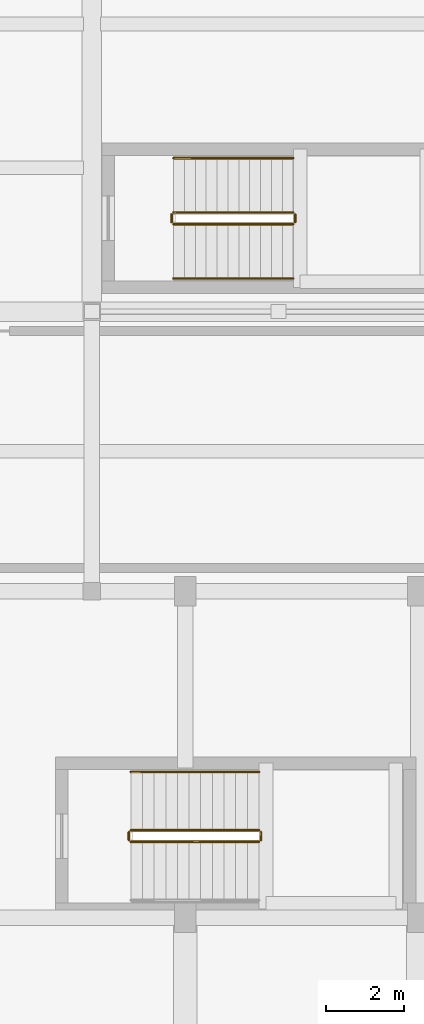
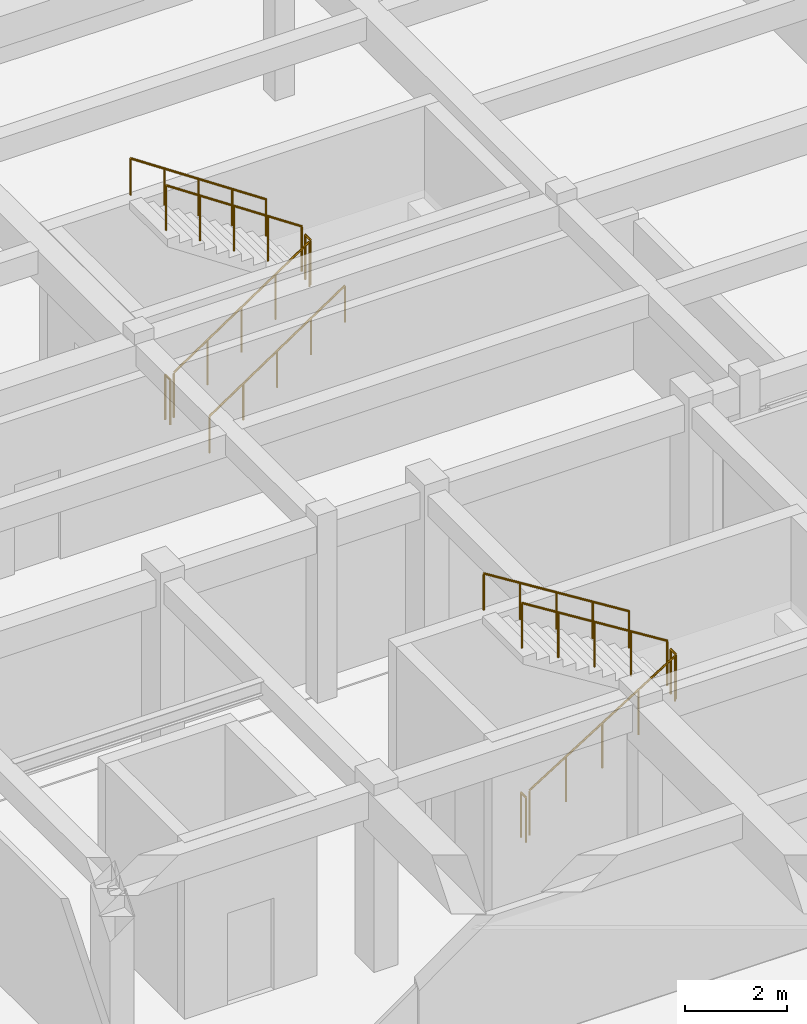
# One storey, part 92 of 92: 11 railings.
"""IFC4 building model written with IfcOpenShell, lengths in metres."""

from ifc_helpers import new_model, si_unit, direction, frame, origin, origin_2d, place, context, subcontext, project, spatial, circle, extrude, material, type_object, element, save


model = new_model("IFC4")

# Units and contexts
model_context = context("Model", 3, precision=1e-05, world=origin(), true_north=direction((0.0, 1.0)))
body_context = subcontext(model_context, "Body", "Model", "MODEL_VIEW")
ifc_project = project(units=[si_unit("LENGTHUNIT", "METRE"), si_unit("AREAUNIT", "SQUARE_METRE"), si_unit("VOLUMEUNIT", "CUBIC_METRE"), si_unit("PLANEANGLEUNIT", "RADIAN"), si_unit("MASSUNIT", "GRAM", prefix="KILO")], contexts=[model_context])

# Site, building, storey
site_placement = place(None, origin())
site = spatial("IfcSite", under=ifc_project, at=site_placement, CompositionType="ELEMENT")
building_placement = place(site_placement, origin())
building = spatial("IfcBuilding", under=site, at=building_placement, Name="Tarnavel Promenade Courthouse", CompositionType="ELEMENT")
storey_placement = place(building_placement, frame((0.0, 0.0, 5.39990234375)))
storey = spatial("IfcBuildingStorey", under=building, at=storey_placement, Name="L02", CompositionType="ELEMENT", Elevation=5.39990234375)

# Railings
ifc_material_1 = material(Name="Brushed Bronze Tubular Stair Handrail")
railing_type_1 = type_object("IfcRailingType", Name="Brushed Bronze Tubular Stair Handrail (RL-HND-0900)", PredefinedType="HANDRAIL", material=ifc_material_1)
railing_1_placement = place(storey_placement, frame((131.699951171875, 75.25, 0.1875)))
element("IfcRailing", 1, at=railing_1_placement, inside=storey, type_object=railing_type_1, Name="L02 ST-06 stair handrail 1", PredefinedType="HANDRAIL", context=body_context, shape_type="SweptSolid", body=[
    extrude(circle(Radius=0.02392578125, at=origin_2d()), frame((0.0, 0.0, 0.8759765625), z_axis=(0.830913701846, 0.0, 0.55640131208), x_axis=(0.0, 1.0, 0.0)), (0.0, 0.0, 1.0), 3.706787109375),
    extrude(circle(Radius=0.02099609375, at=origin_2d()), origin(), (0.0, 0.0, 1.0), 0.851806640625),
    extrude(circle(Radius=0.02099609375, at=origin_2d()), frame((0.77001953125, 0.0, 0.515625)), (0.0, 0.0, 1.0), 0.851806640625),
    extrude(circle(Radius=0.02099609375, at=origin_2d()), frame((1.5400390625, 0.0, 1.03125)), (0.0, 0.0, 1.0), 0.851806640625),
    extrude(circle(Radius=0.02099609375, at=origin_2d()), frame((2.31005859375, 0.0, 1.546875)), (0.0, 0.0, 1.0), 0.851806640625),
    extrude(circle(Radius=0.02099609375, at=origin_2d()), frame((3.080078125, 0.0, 2.0625)), (0.0, 0.0, 1.0), 0.851806640625),
])
railing_2_placement = place(storey_placement, frame((134.780029296875, 78.35009765625, 2.4375)))
element("IfcRailing", 2, at=railing_2_placement, inside=storey, type_object=railing_type_1, Name="L02 ST-06 stair handrail 2", PredefinedType="HANDRAIL", context=body_context, shape_type="SweptSolid", body=[
    extrude(circle(Radius=0.02392578125, at=origin_2d()), frame((0.0, 0.0, 0.8759765625), z_axis=(-0.830913701846, 0.0, 0.55640131208), x_axis=(0.0, -1.0, 0.0)), (0.0, 0.0, 1.0), 3.706787109375),
    extrude(circle(Radius=0.02099609375, at=origin_2d()), origin(), (0.0, 0.0, 1.0), 0.851806640625),
    extrude(circle(Radius=0.02099609375, at=origin_2d()), frame((-0.77001953125, 0.0, 0.515625)), (0.0, 0.0, 1.0), 0.851806640625),
    extrude(circle(Radius=0.02099609375, at=origin_2d()), frame((-1.5400390625, 0.0, 1.03125)), (0.0, 0.0, 1.0), 0.851806640625),
    extrude(circle(Radius=0.02099609375, at=origin_2d()), frame((-2.31005859375, 0.0, 1.546875)), (0.0, 0.0, 1.0), 0.851806640625),
    extrude(circle(Radius=0.02099609375, at=origin_2d()), frame((-3.080078125, 0.0, 2.0625)), (0.0, 0.0, 1.0), 0.851806640625),
])
railing_3_placement = place(storey_placement, frame((133.89990234375, 62.550048828125, 2.4375)))
element("IfcRailing", 3, at=railing_3_placement, inside=storey, type_object=railing_type_1, Name="L02 ST-08 stair handrail 2", PredefinedType="HANDRAIL", context=body_context, shape_type="SweptSolid", body=[
    extrude(circle(Radius=0.02392578125, at=origin_2d()), frame((0.0, 0.0, 0.8759765625), z_axis=(-0.847984204989, 0.0, 0.530021497762), x_axis=(0.0, -1.0, 0.0)), (0.0, 0.0, 1.0), 3.891357421875),
    extrude(circle(Radius=0.02099609375, at=origin_2d()), origin(), (0.0, 0.0, 1.0), 0.851806640625),
    extrude(circle(Radius=0.02099609375, at=origin_2d()), frame((-0.824951171875, 0.0, 0.515625)), (0.0, 0.0, 1.0), 0.851806640625),
    extrude(circle(Radius=0.02099609375, at=origin_2d()), frame((-1.64990234375, 0.0, 1.03125)), (0.0, 0.0, 1.0), 0.851806640625),
    extrude(circle(Radius=0.02099609375, at=origin_2d()), frame((-2.474853515625, 0.0, 1.546875)), (0.0, 0.0, 1.0), 0.851806640625),
    extrude(circle(Radius=0.02099609375, at=origin_2d()), frame((-3.2998046875, 0.0, 2.0625)), (0.0, 0.0, 1.0), 0.851806640625),
])
ifc_material_2 = material(Name="Painted Architectural Steel Core Stair Guardrail", Category="steel")
railing_type_2 = type_object("IfcRailingType", Name="Painted Architectural Steel Core Stair Guardrail (RL-GRD-1100)", PredefinedType="GUARDRAIL", material=ifc_material_2)
railing_4_placement = place(storey_placement, frame((131.699951171875, 76.64990234375, 0.1875)))
element("IfcRailing", 4, at=railing_4_placement, inside=storey, type_object=railing_type_2, Name="L02 ST-06 stair guard 1", PredefinedType="GUARDRAIL", context=body_context, shape_type="SweptSolid", body=[
    extrude(circle(Radius=0.02392578125, at=origin_2d()), frame((0.0, 0.0, 1.076171875), z_axis=(0.830913701846, 0.0, 0.55640131208), x_axis=(0.0, 1.0, 0.0)), (0.0, 0.0, 1.0), 3.706787109375),
    extrude(circle(Radius=0.02099609375, at=origin_2d()), origin(), (0.0, 0.0, 1.0), 1.052001953125),
    extrude(circle(Radius=0.02099609375, at=origin_2d()), frame((0.77001953125, 0.0, 0.515625)), (0.0, 0.0, 1.0), 1.052001953125),
    extrude(circle(Radius=0.02099609375, at=origin_2d()), frame((1.5400390625, 0.0, 1.03125)), (0.0, 0.0, 1.0), 1.052001953125),
    extrude(circle(Radius=0.02099609375, at=origin_2d()), frame((2.31005859375, 0.0, 1.546875)), (0.0, 0.0, 1.0), 1.052001953125),
    extrude(circle(Radius=0.02099609375, at=origin_2d()), frame((3.080078125, 0.0, 2.0625)), (0.0, 0.0, 1.0), 1.052001953125),
])
railing_5_placement = place(storey_placement, frame((134.830078125, 76.699951171875, 2.25)))
element("IfcRailing", 5, at=railing_5_placement, inside=storey, type_object=railing_type_2, Name="L02 ST-06 stair guard 2", PredefinedType="GUARDRAIL", context=body_context, shape_type="SweptSolid", body=[
    extrude(circle(Radius=0.02392578125, at=origin_2d()), frame((0.0, 0.0, 1.076171875), z_axis=(0.0, 1.0, 0.0), x_axis=(-1.0, 0.0, 0.0)), (0.0, 0.0, 1.0), 0.199951171875),
    extrude(circle(Radius=0.02099609375, at=origin_2d()), origin(), (0.0, 0.0, 1.0), 1.052001953125),
    extrude(circle(Radius=0.02099609375, at=origin_2d()), frame((0.0, 0.199951171875, 0.0)), (0.0, 0.0, 1.0), 1.052001953125),
])
railing_6_placement = place(storey_placement, frame((134.780029296875, 76.949951171875, 2.4375)))
element("IfcRailing", 6, at=railing_6_placement, inside=storey, type_object=railing_type_2, Name="L02 ST-06 stair guard 3", PredefinedType="GUARDRAIL", context=body_context, shape_type="SweptSolid", body=[
    extrude(circle(Radius=0.02392578125, at=origin_2d()), frame((0.0, 0.0, 1.076171875), z_axis=(-0.830913701846, 0.0, 0.55640131208), x_axis=(0.0, -1.0, 0.0)), (0.0, 0.0, 1.0), 3.706787109375),
    extrude(circle(Radius=0.02099609375, at=origin_2d()), origin(), (0.0, 0.0, 1.0), 1.052001953125),
    extrude(circle(Radius=0.02099609375, at=origin_2d()), frame((-0.77001953125, 0.0, 0.515625)), (0.0, 0.0, 1.0), 1.052001953125),
    extrude(circle(Radius=0.02099609375, at=origin_2d()), frame((-1.5400390625, 0.0, 1.03125)), (0.0, 0.0, 1.0), 1.052001953125),
    extrude(circle(Radius=0.02099609375, at=origin_2d()), frame((-2.31005859375, 0.0, 1.546875)), (0.0, 0.0, 1.0), 1.052001953125),
    extrude(circle(Radius=0.02099609375, at=origin_2d()), frame((-3.080078125, 0.0, 2.0625)), (0.0, 0.0, 1.0), 1.052001953125),
])
railing_7_placement = place(storey_placement, frame((131.64990234375, 76.699951171875, 0.0)))
element("IfcRailing", 7, at=railing_7_placement, inside=storey, type_object=railing_type_2, Name="L02 ST-06 stair guard 4", PredefinedType="GUARDRAIL", context=body_context, shape_type="SweptSolid", body=[
    extrude(circle(Radius=0.02392578125, at=origin_2d()), frame((0.0, 0.0, 1.076171875), z_axis=(0.0, 1.0, 0.0), x_axis=(-1.0, 0.0, 0.0)), (0.0, 0.0, 1.0), 0.199951171875),
    extrude(circle(Radius=0.02099609375, at=origin_2d()), origin(), (0.0, 0.0, 1.0), 1.052001953125),
    extrude(circle(Radius=0.02099609375, at=origin_2d()), frame((0.0, 0.199951171875, 0.0)), (0.0, 0.0, 1.0), 1.052001953125),
])
railing_8_placement = place(storey_placement, frame((130.60009765625, 60.75, 0.1875)))
element("IfcRailing", 8, at=railing_8_placement, inside=storey, type_object=railing_type_2, Name="L02 ST-08 stair guard 1", PredefinedType="GUARDRAIL", context=body_context, shape_type="SweptSolid", body=[
    extrude(circle(Radius=0.02392578125, at=origin_2d()), frame((0.0, 0.0, 1.076171875), z_axis=(0.847984204989, 0.0, 0.530021497762), x_axis=(0.0, 1.0, 0.0)), (0.0, 0.0, 1.0), 3.891357421875),
    extrude(circle(Radius=0.02099609375, at=origin_2d()), origin(), (0.0, 0.0, 1.0), 1.052001953125),
    extrude(circle(Radius=0.02099609375, at=origin_2d()), frame((0.824951171875, 0.0, 0.515625)), (0.0, 0.0, 1.0), 1.052001953125),
    extrude(circle(Radius=0.02099609375, at=origin_2d()), frame((1.64990234375, 0.0, 1.03125)), (0.0, 0.0, 1.0), 1.052001953125),
    extrude(circle(Radius=0.02099609375, at=origin_2d()), frame((2.474853515625, 0.0, 1.546875)), (0.0, 0.0, 1.0), 1.052001953125),
    extrude(circle(Radius=0.02099609375, at=origin_2d()), frame((3.2998046875, 0.0, 2.0625)), (0.0, 0.0, 1.0), 1.052001953125),
])
railing_9_placement = place(storey_placement, frame((133.949951171875, 60.800048828125, 2.25)))
element("IfcRailing", 9, at=railing_9_placement, inside=storey, type_object=railing_type_2, Name="L02 ST-08 stair guard 2", PredefinedType="GUARDRAIL", context=body_context, shape_type="SweptSolid", body=[
    extrude(circle(Radius=0.02392578125, at=origin_2d()), frame((0.0, 0.0, 1.076171875), z_axis=(0.0, 1.0, 0.0), x_axis=(-1.0, 0.0, 0.0)), (0.0, 0.0, 1.0), 0.199951171875),
    extrude(circle(Radius=0.02099609375, at=origin_2d()), origin(), (0.0, 0.0, 1.0), 1.052001953125),
    extrude(circle(Radius=0.02099609375, at=origin_2d()), frame((0.0, 0.199951171875, 0.0)), (0.0, 0.0, 1.0), 1.052001953125),
])
railing_10_placement = place(storey_placement, frame((133.89990234375, 61.050048828125, 2.4375)))
element("IfcRailing", 10, at=railing_10_placement, inside=storey, type_object=railing_type_2, Name="L02 ST-08 stair guard 3", PredefinedType="GUARDRAIL", context=body_context, shape_type="SweptSolid", body=[
    extrude(circle(Radius=0.02392578125, at=origin_2d()), frame((0.0, 0.0, 1.076171875), z_axis=(-0.847984204989, 0.0, 0.530021497762), x_axis=(0.0, -1.0, 0.0)), (0.0, 0.0, 1.0), 3.891357421875),
    extrude(circle(Radius=0.02099609375, at=origin_2d()), origin(), (0.0, 0.0, 1.0), 1.052001953125),
    extrude(circle(Radius=0.02099609375, at=origin_2d()), frame((-0.824951171875, 0.0, 0.515625)), (0.0, 0.0, 1.0), 1.052001953125),
    extrude(circle(Radius=0.02099609375, at=origin_2d()), frame((-1.64990234375, 0.0, 1.03125)), (0.0, 0.0, 1.0), 1.052001953125),
    extrude(circle(Radius=0.02099609375, at=origin_2d()), frame((-2.474853515625, 0.0, 1.546875)), (0.0, 0.0, 1.0), 1.052001953125),
    extrude(circle(Radius=0.02099609375, at=origin_2d()), frame((-3.2998046875, 0.0, 2.0625)), (0.0, 0.0, 1.0), 1.052001953125),
])
railing_11_placement = place(storey_placement, frame((130.550048828125, 60.800048828125, 0.0)))
element("IfcRailing", 11, at=railing_11_placement, inside=storey, type_object=railing_type_2, Name="L02 ST-08 stair guard 4", PredefinedType="GUARDRAIL", context=body_context, shape_type="SweptSolid", body=[
    extrude(circle(Radius=0.02392578125, at=origin_2d()), frame((0.0, 0.0, 1.076171875), z_axis=(0.0, 1.0, 0.0), x_axis=(-1.0, 0.0, 0.0)), (0.0, 0.0, 1.0), 0.199951171875),
    extrude(circle(Radius=0.02099609375, at=origin_2d()), origin(), (0.0, 0.0, 1.0), 1.052001953125),
    extrude(circle(Radius=0.02099609375, at=origin_2d()), frame((0.0, 0.199951171875, 0.0)), (0.0, 0.0, 1.0), 1.052001953125),
])

save(model, "model.ifc")
